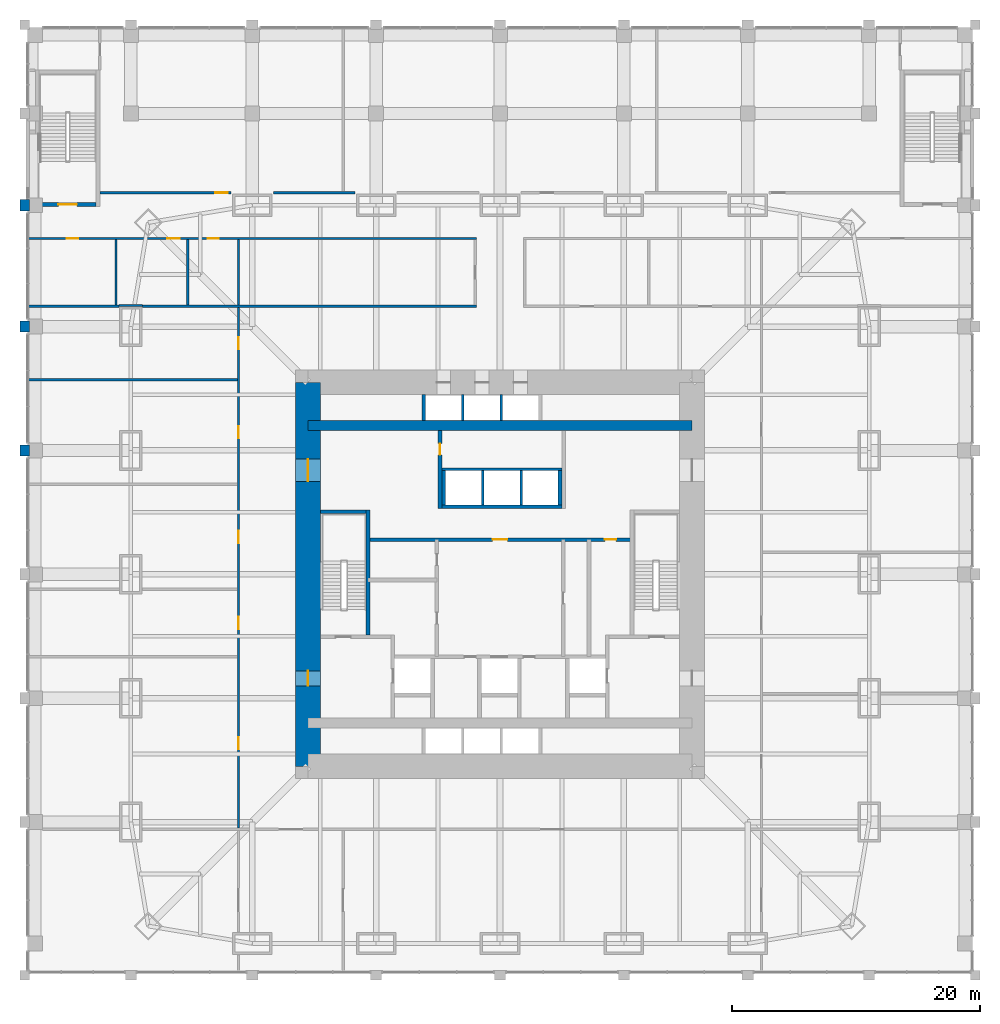
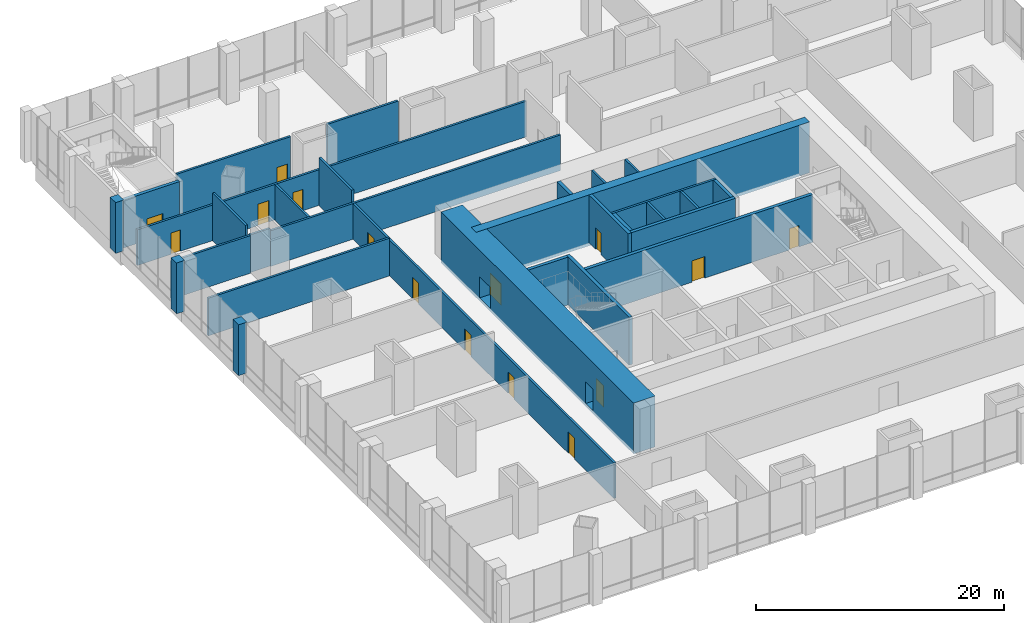
# One storey, part 18 of 24: 30 walls, 15 doors, 15 openings.
"""IFC4 building model written with IfcOpenShell, lengths in metres."""

import ifcopenshell
import ifcopenshell.guid

model = None  # the IFC model being written
_history = None  # IfcOwnerHistory: only IFC2X3 demands one
_inside = {}  # id of a spatial element -> (the spatial element, [elements in it])
_under = {}  # id of a project, library or spatial element -> (it, [spatial elements below it])
_declared = {}  # id of a project -> (the project, [libraries it declares])
_typed = {}  # id of a type object -> (the type object, [elements of that type])
_made_of = {}  # id of a material, layer set ... -> (it, [elements and type objects made of it])


def new_model(schema):
    """Start an empty IFC model of exactly this schema.

    Asked for "IFC4X3", IfcOpenShell would pick the latest addendum, in which some entities
    have other attributes; the version numbers below select the first issue.
    IFC2X3 requires an IfcOwnerHistory on every rooted entity: one is made here for all.
    """
    global model, _history
    if schema == "IFC4X3":
        model = ifcopenshell.file(schema_version=(4, 3, 0, 0))
    else:
        model = ifcopenshell.file(schema=schema)
    _inside.clear()
    _under.clear()
    _declared.clear()
    _typed.clear()
    _made_of.clear()
    _history = None
    if model.schema == "IFC2X3":
        org = make("IfcOrganization", Name="unknown")
        user = make(
            "IfcPersonAndOrganization",
            ThePerson=make("IfcPerson", FamilyName="unknown"),
            TheOrganization=org,
        )
        app = make(
            "IfcApplication",
            ApplicationDeveloper=org,
            Version="unknown",
            ApplicationFullName="unknown",
            ApplicationIdentifier="unknown",
        )
        _history = make(
            "IfcOwnerHistory",
            OwningUser=user,
            OwningApplication=app,
            ChangeAction="ADDED",
            CreationDate=0,
        )
    return model


def make(cls, **values):
    """One entity of the class cls with the attributes given. An attribute that is None is left unset."""
    return model.create_entity(
        cls, **{name: value for name, value in values.items() if value is not None}
    )


def rooted(cls, **values):
    """An entity with a GlobalId (a new one), such as an element, a storey or a relation."""
    return make(cls, GlobalId=ifcopenshell.guid.new(), OwnerHistory=_history, **values)


def si_unit(unit_type, name, prefix=None):
    """IfcSIUnit, for example si_unit("LENGTHUNIT", "METRE", prefix="MILLI")."""
    return make("IfcSIUnit", UnitType=unit_type, Prefix=prefix, Name=name)


def assignment(units):
    """IfcUnitAssignment: the units of a project."""
    return None if units is None else make("IfcUnitAssignment", Units=units)


def point(xyz):
    """IfcCartesianPoint."""
    return None if xyz is None else make("IfcCartesianPoint", Coordinates=xyz)


def direction(xyz):
    """IfcDirection."""
    return None if xyz is None else make("IfcDirection", DirectionRatios=xyz)


def frame(location, z_axis=None, x_axis=None):
    """IfcAxis2Placement3D, a coordinate frame: its origin and axes. An axis left out is left unset."""
    return make(
        "IfcAxis2Placement3D",
        Location=point(location),
        Axis=direction(z_axis),
        RefDirection=direction(x_axis),
    )


def frame_2d(location, x_axis=None):
    """IfcAxis2Placement2D, a coordinate frame in the plane: its origin and x axis."""
    return make(
        "IfcAxis2Placement2D", Location=point(location), RefDirection=direction(x_axis)
    )


def origin():
    """The frame at (0, 0, 0) with its axes left unset."""
    return frame((0.0, 0.0, 0.0))


def place(relative_to, where):
    """IfcLocalPlacement: puts the frame where relative to a parent placement (None: the world)."""
    return make(
        "IfcLocalPlacement", PlacementRelTo=relative_to, RelativePlacement=where
    )


def context(
    kind, dimensions, precision=None, world=None, true_north=None, identifier=None
):
    """IfcGeometricRepresentationContext, for example the 3D "Model" context."""
    return make(
        "IfcGeometricRepresentationContext",
        ContextIdentifier=identifier,
        ContextType=kind,
        CoordinateSpaceDimension=dimensions,
        Precision=precision,
        WorldCoordinateSystem=world,
        TrueNorth=true_north,
    )


def subcontext(parent, identifier, kind, view, scale=None):
    """IfcGeometricRepresentationSubContext, for example "Body" below "Model"."""
    return make(
        "IfcGeometricRepresentationSubContext",
        ContextIdentifier=identifier,
        ContextType=kind,
        ParentContext=parent,
        TargetScale=scale,
        TargetView=view,
    )


def project(units=None, contexts=None):
    """IfcProject with its units and contexts."""
    return rooted(
        "IfcProject",
        Name="project",
        RepresentationContexts=contexts,
        UnitsInContext=assignment(units),
    )


def spatial(cls, under=None, at=None, **own):
    """A site, building, storey or space (cls), placed at a placement, below another one or the project."""
    s = rooted(cls, ObjectPlacement=at, **own)
    if under is not None:
        _under.setdefault(under.id(), (under, []))[1].append(s)
    return s


def profile(cls, at=None, kind="AREA", **sizes):
    """A parametric profile (cls). Its sizes go by their IFC names, for example OverallWidth=200.0."""
    return make(cls, ProfileType=kind, Position=at, **sizes)


def rectangle(**sizes):
    """IfcRectangleProfileDef."""
    return profile("IfcRectangleProfileDef", **sizes)


def extrude(swept, where, along, depth):
    """IfcExtrudedAreaSolid: the profile swept, set in the frame where, extruded along a direction by depth."""
    return make(
        "IfcExtrudedAreaSolid",
        SweptArea=swept,
        Position=where,
        ExtrudedDirection=direction(along),
        Depth=depth,
    )


def shape(context_of_items, identifier, shape_type, items):
    """IfcShapeRepresentation: the items that make up one representation, for example the "Body"."""
    return make(
        "IfcShapeRepresentation",
        ContextOfItems=context_of_items,
        RepresentationIdentifier=identifier,
        RepresentationType=shape_type,
        Items=items,
    )


def material(Name=None, Category=None):
    """IfcMaterial."""
    return make("IfcMaterial", Name=Name, Category=Category)


def layer(
    of_material, thickness, ventilated=None, Name=None, Category=None, Priority=None
):
    """IfcMaterialLayer: one layer of a wall or slab, of a material (None: an air gap)."""
    return make(
        "IfcMaterialLayer",
        Material=of_material,
        LayerThickness=thickness,
        IsVentilated=ventilated,
        Name=Name,
        Category=Category,
        Priority=Priority,
    )


def layer_set(layers, Name=None):
    """IfcMaterialLayerSet."""
    return make("IfcMaterialLayerSet", MaterialLayers=layers, LayerSetName=Name)


def made_of(thing, what):
    """Note that an element or type object is made of a material, layer set ...; save() writes the relation."""
    if what is not None:
        _made_of.setdefault(what.id(), (what, []))[1].append(thing)
    return thing


def type_object(cls, material=None, **own):
    """A type object (cls), such as IfcWallType, which elements share."""
    return made_of(rooted(cls, **own), material)


def element(
    cls,
    number,
    at=None,
    inside=None,
    cuts=None,
    type_object=None,
    material=None,
    context=None,
    identifier="Body",
    shape_type=None,
    held_by="IfcProductDefinitionShape",
    body=None,
    shapes=None,
    **own,
):
    """One element of the class cls, such as IfcWall. Its Tag is "e" and its number.

    at: its placement. inside: the storey or other place that contains it. cuts: it is an
    opening in that element (IfcRelVoidsElement). A single representation is given by context,
    identifier, shape_type and body (its items); several are given by shapes. held_by: the class
    of the entity that holds the representations. save() writes the other relations.
    """
    e = rooted(cls, Tag="e%d" % number, ObjectPlacement=at, **own)
    if body is not None:
        shapes = [shape(context, identifier, shape_type, body)]
    if shapes is not None:
        e.Representation = make(held_by, Representations=shapes)
    if inside is not None:
        _inside.setdefault(inside.id(), (inside, []))[1].append(e)
    if cuts is not None:
        rooted(
            "IfcRelVoidsElement", RelatingBuildingElement=cuts, RelatedOpeningElement=e
        )
    if type_object is not None:
        _typed.setdefault(type_object.id(), (type_object, []))[1].append(e)
    return made_of(e, material)


def fill(opening, filler):
    """IfcRelFillsElement: the door or window that sits in an opening."""
    return rooted(
        "IfcRelFillsElement",
        RelatingOpeningElement=opening,
        RelatedBuildingElement=filler,
    )


def aggregate(whole, parts):
    """IfcRelAggregates: a whole, such as a stair, and the parts it consists of."""
    return rooted("IfcRelAggregates", RelatingObject=whole, RelatedObjects=parts)


def save(model, path):
    """Write the relations noted so far, then the file.

    IfcRelAggregates (storeys below a building ...), IfcRelContainedInSpatialStructure (elements
    in a storey), IfcRelDefinesByType, IfcRelAssociatesMaterial and IfcRelDeclares: one each for
    every whole, place, type object, material and project.
    """
    for whole, parts in _under.values():
        aggregate(whole, parts)
    for where, things in _inside.values():
        rooted(
            "IfcRelContainedInSpatialStructure",
            RelatedElements=things,
            RelatingStructure=where,
        )
    for kind, things in _typed.values():
        rooted("IfcRelDefinesByType", RelatedObjects=things, RelatingType=kind)
    for what, things in _made_of.values():
        rooted("IfcRelAssociatesMaterial", RelatedObjects=things, RelatingMaterial=what)
    for by, libraries in _declared.values():
        rooted("IfcRelDeclares", RelatingContext=by, RelatedDefinitions=libraries)
    model.write(path)


model = new_model("IFC4")

# Units and contexts
model_context = context("Model", 3, precision=1e-05, world=origin(), true_north=direction((0.0, 1.0)))
body_context = subcontext(model_context, "Body", "Model", "MODEL_VIEW")
ifc_project = project(units=[si_unit("LENGTHUNIT", "METRE"), si_unit("AREAUNIT", "SQUARE_METRE"), si_unit("VOLUMEUNIT", "CUBIC_METRE"), si_unit("PLANEANGLEUNIT", "RADIAN"), si_unit("MASSUNIT", "GRAM", prefix="KILO")], contexts=[model_context])

# Site, building, storey
site_placement = place(None, origin())
site = spatial("IfcSite", under=ifc_project, at=site_placement, CompositionType="ELEMENT")
building_placement = place(site_placement, origin())
building = spatial("IfcBuilding", under=site, at=building_placement, Name="Khuree Lantern Residences", CompositionType="ELEMENT")
storey_placement = place(building_placement, frame((0.0, 0.0, 11.0)))
storey = spatial("IfcBuildingStorey", under=building, at=storey_placement, Name="L02", CompositionType="ELEMENT", Elevation=11.0)

# Walls
ifc_material_1 = material(Name="Dense concrete blockwork", Category="masonry")
ifc_layer_1 = layer(ifc_material_1, 0.300048828125)
ifc_layer_set_1 = layer_set([ifc_layer_1], Name="CORE PARTITION WALL CPW300 EI 120")
wall_type_1 = type_object("IfcWallType", Name="CORE PARTITION WALL CPW300 EI 120", PredefinedType="PARTITIONING", material=ifc_layer_set_1)
wall_1_placement = place(storey_placement, frame((-4.699951171875, 5.449951171875, 0.0), z_axis=(0.0, 0.0, 1.0), x_axis=(1.0, 0.0, 0.0)))
element("IfcWall", 1, at=wall_1_placement, inside=storey, type_object=wall_type_1, Name="L02 CORE WALL PHS", PredefinedType="PARTITIONING", context=body_context, shape_type="SweptSolid", body=[
    extrude(rectangle(XDim=9.699951171875, YDim=0.300048828125, at=frame_2d((4.85009765625, 0.0))), origin(), (0.0, 0.0, 1.0), 4.699951171875),
])
for number, where, z_axis, x_axis, name in (
    (2, (-4.550048828125, 5.60009765625, 0.0), (0.0, 0.0, 1.0), (0.0, 1.0, 0.0), "L02 CORE WALL PHW"),
    (3, (4.85009765625, 5.60009765625, 0.0), (0.0, 0.0, 1.0), (0.0, 1.0, 0.0), "L02 CORE WALL PHE"),
):
    element("IfcWall", number, at=place(storey_placement, frame(where, z_axis=z_axis, x_axis=x_axis)), inside=storey, type_object=wall_type_1, Name=name, PredefinedType="PARTITIONING", context=body_context, shape_type="SweptSolid", body=[
        extrude(rectangle(XDim=2.7998046875, YDim=0.300048828125, at=frame_2d((1.39990234375, 0.0))), origin(), (0.0, 0.0, 1.0), 4.699951171875),
    ])
wall_2_placement = place(storey_placement, frame((-6.14990234375, 12.39990234375, 0.0), z_axis=(0.0, 0.0, 1.0), x_axis=(0.0, 1.0, 0.0)))
element("IfcWall", 4, at=wall_2_placement, inside=storey, type_object=wall_type_1, Name="L02 CORE WALL PLW", PredefinedType="PARTITIONING", context=body_context, shape_type="SweptSolid", body=[
    extrude(rectangle(XDim=2.10009765625, YDim=0.300048828125, at=frame_2d((1.050048828125, 0.0))), origin(), (0.0, 0.0, 1.0), 4.699951171875),
])

# Wall, openings, doors
wall_3_placement = place(storey_placement, frame((-10.64990234375, 2.800048828125, 0.0), z_axis=(0.0, 0.0, 1.0), x_axis=(1.0, 0.0, 0.0)))
wall_3 = element("IfcWall", 5, at=wall_3_placement, inside=storey, type_object=wall_type_1, Name="L02 CORE WALL LLS", PredefinedType="PARTITIONING", context=body_context, shape_type="SweptSolid", body=[
    extrude(rectangle(XDim=21.2998046875, YDim=0.300048828125, at=frame_2d((10.64990234375, 0.0))), origin(), (0.0, 0.0, 1.0), 4.699951171875),
])
opening_1_placement = place(wall_3_placement, frame((10.050048828125, 0.0, 0.0)))
opening_1 = element("IfcOpeningElement", 6, at=opening_1_placement, cuts=wall_3, Name="Opening 02-013", PredefinedType="OPENING", context=body_context, shape_type="SweptSolid", body=[
    extrude(rectangle(XDim=1.199951171875, YDim=2.10009765625, at=frame_2d((0.60009765625, 1.050048828125))), frame((0.0, 0.16015625, 0.0), z_axis=(0.0, -1.0, 0.0), x_axis=(1.0, 0.0, 0.0)), (0.0, 0.0, 1.0), 0.320068359375),
])
opening_2_placement = place(wall_3_placement, frame((19.12109375, 0.0, 0.0)))
opening_2 = element("IfcOpeningElement", 7, at=opening_2_placement, cuts=wall_3, Name="Opening 02-019", PredefinedType="OPENING", context=body_context, shape_type="SweptSolid", body=[
    extrude(rectangle(XDim=0.89990234375, YDim=2.10009765625, at=frame_2d((0.449951171875, 1.050048828125))), frame((0.0, 0.16015625, 0.0), z_axis=(0.0, -1.0, 0.0), x_axis=(1.0, 0.0, 0.0)), (0.0, 0.0, 1.0), 0.320068359375),
])
ifc_material_2 = material(Name="Steel door leaf in steel frame", Category="steel")
door_type_1 = type_object("IfcDoorType", Name="DOOR 1200X2100 EI 60", OperationType="SINGLE_SWING_LEFT", PredefinedType="DOOR", material=ifc_material_2)
door_1_placement = place(opening_1_placement, origin())
door_1 = element("IfcDoor", 8, at=door_1_placement, inside=storey, type_object=door_type_1, Name="Service lift lobby door 02-013", OperationType="SINGLE_SWING_LEFT", OverallHeight=2.10009765625, OverallWidth=1.199951171875, PredefinedType="DOOR", context=body_context, shape_type="SweptSolid", body=[
    extrude(rectangle(XDim=1.199951171875, YDim=2.10009765625, at=frame_2d((0.60009765625, 1.050048828125))), frame((0.0, 0.02490234375, 0.0), z_axis=(0.0, -1.0, 0.0), x_axis=(1.0, 0.0, 0.0)), (0.0, 0.0, 1.0), 0.050048828125),
])
fill(opening_1, door_1)
ifc_material_3 = material(Name="Timber door leaf in hardwood frame", Category="wood")
door_type_2 = type_object("IfcDoorType", Name="DOOR 900X2100 RIGHT HAND", OperationType="SINGLE_SWING_RIGHT", PredefinedType="DOOR", material=ifc_material_3)
door_2_placement = place(opening_2_placement, origin())
door_2 = element("IfcDoor", 9, at=door_2_placement, inside=storey, type_object=door_type_2, Name="Store door 02-019", OperationType="SINGLE_SWING_RIGHT", OverallHeight=2.10009765625, OverallWidth=0.89990234375, PredefinedType="DOOR", context=body_context, shape_type="SweptSolid", body=[
    extrude(rectangle(XDim=0.89990234375, YDim=2.10009765625, at=frame_2d((0.449951171875, 1.050048828125))), frame((0.0, 0.02490234375, 0.0), z_axis=(0.0, -1.0, 0.0), x_axis=(1.0, 0.0, 0.0)), (0.0, 0.0, 1.0), 0.050048828125),
])
fill(opening_2, door_2)

# Wall, opening, door
wall_4_placement = place(storey_placement, frame((-4.85009765625, 5.300048828125, 0.0), z_axis=(0.0, 0.0, 1.0), x_axis=(0.0, 1.0, 0.0)))
wall_4 = element("IfcWall", 10, at=wall_4_placement, inside=storey, type_object=wall_type_1, Name="L02 CORE WALL NW", PredefinedType="PARTITIONING", context=body_context, shape_type="SweptSolid", body=[
    extrude(rectangle(XDim=6.300048828125, YDim=0.300048828125, at=frame_2d((3.14990234375, 0.0))), origin(), (0.0, 0.0, 1.0), 4.699951171875),
])
opening_3_placement = place(wall_4_placement, frame((4.35009765625, 0.0, 0.0)))
opening_3 = element("IfcOpeningElement", 11, at=opening_3_placement, cuts=wall_4, Name="Opening 02-020", PredefinedType="OPENING", context=body_context, shape_type="SweptSolid", body=[
    extrude(rectangle(XDim=0.89990234375, YDim=2.10009765625, at=frame_2d((0.449951171875, 1.050048828125))), frame((0.0, 0.16015625, 0.0), z_axis=(0.0, -1.0, 0.0), x_axis=(1.0, 0.0, 0.0)), (0.0, 0.0, 1.0), 0.320068359375),
])
door_3_placement = place(opening_3_placement, origin())
door_3 = element("IfcDoor", 12, at=door_3_placement, inside=storey, type_object=door_type_2, Name="Store door 02-020", OperationType="SINGLE_SWING_RIGHT", OverallHeight=2.10009765625, OverallWidth=0.89990234375, PredefinedType="DOOR", context=body_context, shape_type="SweptSolid", body=[
    extrude(rectangle(XDim=0.89990234375, YDim=2.10009765625, at=frame_2d((0.449951171875, 1.050048828125))), frame((0.0, 0.02490234375, 0.0), z_axis=(0.0, -1.0, 0.0), x_axis=(1.0, 0.0, 0.0)), (0.0, 0.0, 1.0), 0.050048828125),
])
fill(opening_3, door_3)

# Wall, openings, doors
ifc_material_4 = material(Name="Concrete C70/85", Category="concrete")
ifc_layer_2 = layer(ifc_material_4, 2.0)
ifc_layer_set_2 = layer_set([ifc_layer_2], Name="CW2000-C70 CORE WALL C70 2000")
wall_type_2 = type_object("IfcWallType", Name="CW2000-C70 CORE WALL C70 2000", PredefinedType="SHEAR", material=ifc_layer_set_2)
wall_5_placement = place(storey_placement, frame((-15.5, -15.5, -0.300048828125), z_axis=(0.0, 0.0, 1.0), x_axis=(0.0, 1.0, 0.0)))
wall_5 = element("IfcWall", 13, at=wall_5_placement, inside=storey, type_object=wall_type_2, Name="Core wall W", PredefinedType="SHEAR", context=body_context, shape_type="SweptSolid", body=[
    extrude(rectangle(XDim=31.0, YDim=2.0, at=frame_2d((15.5, 0.0))), origin(), (0.0, 0.0, 1.0), 5.0),
])
opening_4_placement = place(wall_5_placement, frame((6.5, 0.0, 0.300048828125)))
opening_4 = element("IfcOpeningElement", 14, at=opening_4_placement, cuts=wall_5, Name="Opening 02-002", PredefinedType="OPENING", context=body_context, shape_type="SweptSolid", body=[
    extrude(rectangle(XDim=1.199951171875, YDim=2.10009765625, at=frame_2d((0.60009765625, 1.050048828125))), frame((0.0, 1.010009765625, 0.0), z_axis=(0.0, -1.0, 0.0), x_axis=(1.0, 0.0, 0.0)), (0.0, 0.0, 1.0), 2.02001953125),
])
opening_5_placement = place(wall_5_placement, frame((23.0, 0.0, 0.300048828125)))
opening_5 = element("IfcOpeningElement", 15, at=opening_5_placement, cuts=wall_5, Name="Opening 02-003", PredefinedType="OPENING", context=body_context, shape_type="SweptSolid", body=[
    extrude(rectangle(XDim=1.800048828125, YDim=2.10009765625, at=frame_2d((0.89990234375, 1.050048828125))), frame((0.0, 1.010009765625, 0.0), z_axis=(0.0, -1.0, 0.0), x_axis=(1.0, 0.0, 0.0)), (0.0, 0.0, 1.0), 2.02001953125),
])
door_type_3 = type_object("IfcDoorType", Name="LOBBY DOOR 1200X2100 EI 120", OperationType="SINGLE_SWING_LEFT", PredefinedType="DOOR", material=ifc_material_2)
door_4_placement = place(opening_4_placement, origin())
door_4 = element("IfcDoor", 16, at=door_4_placement, inside=storey, type_object=door_type_3, Name="Firefighting lobby door 02-002", OperationType="SINGLE_SWING_LEFT", OverallHeight=2.10009765625, OverallWidth=1.199951171875, PredefinedType="DOOR", context=body_context, shape_type="SweptSolid", body=[
    extrude(rectangle(XDim=1.199951171875, YDim=2.10009765625, at=frame_2d((0.60009765625, 1.050048828125))), frame((0.0, 0.02490234375, 0.0), z_axis=(0.0, -1.0, 0.0), x_axis=(1.0, 0.0, 0.0)), (0.0, 0.0, 1.0), 0.050048828125),
])
fill(opening_4, door_4)
door_type_4 = type_object("IfcDoorType", Name="LOBBY DOUBLE DOOR 1800X2100 EI 60", OperationType="DOUBLE_DOOR_SINGLE_SWING", PredefinedType="DOOR", material=ifc_material_2)
door_5_placement = place(opening_5_placement, origin())
door_5 = element("IfcDoor", 17, at=door_5_placement, inside=storey, type_object=door_type_4, Name="Lift lobby door 02-003", OperationType="DOUBLE_DOOR_SINGLE_SWING", OverallHeight=2.10009765625, OverallWidth=1.800048828125, PredefinedType="DOOR", context=body_context, shape_type="SweptSolid", body=[
    extrude(rectangle(XDim=1.800048828125, YDim=2.10009765625, at=frame_2d((0.89990234375, 1.050048828125))), frame((0.0, 0.02490234375, 0.0), z_axis=(0.0, -1.0, 0.0), x_axis=(1.0, 0.0, 0.0)), (0.0, 0.0, 1.0), 0.050048828125),
])
fill(opening_5, door_5)

# Walls
ifc_material_5 = material(Name="Flamed granite cladding on blockwork", Category="masonry")
ifc_layer_3 = layer(ifc_material_5, 0.75)
ifc_layer_set_3 = layer_set([ifc_layer_3], Name="PODIUM PIER PR1 900X750")
wall_type_3 = type_object("IfcWallType", Name="PODIUM PIER PR1 900X750", PredefinedType="SOLIDWALL", material=ifc_layer_set_3)
for number, where, z_axis, x_axis, name in (
    (18, (-38.375, 30.25, 0.0), (0.0, 0.0, 1.0), (0.0, -1.0, 0.0), "L02 WEST FACE PIER 2"),
    (19, (-38.375, 20.449951171875, 0.0), (0.0, 0.0, 1.0), (0.0, -1.0, 0.0), "L02 WEST FACE PIER 3"),
    (20, (-38.375, 10.449951171875, 0.0), (0.0, 0.0, 1.0), (0.0, -1.0, 0.0), "L02 WEST FACE PIER 4"),
):
    element("IfcWall", number, at=place(storey_placement, frame(where, z_axis=z_axis, x_axis=x_axis)), inside=storey, type_object=wall_type_3, Name=name, PredefinedType="SOLIDWALL", context=body_context, shape_type="SweptSolid", body=[
        extrude(rectangle(XDim=0.89990234375, YDim=0.75, at=frame_2d((0.449951171875, 0.0))), origin(), (0.0, 0.0, 1.0), 5.0),
    ])

# Wall, openings, doors
ifc_layer_4 = layer(ifc_material_1, 0.199951171875)
ifc_layer_set_4 = layer_set([ifc_layer_4], Name="ROOM WALL RMW200")
wall_type_4 = type_object("IfcWallType", Name="ROOM WALL RMW200", PredefinedType="SOLIDWALL", material=ifc_layer_set_4)
wall_6_placement = place(storey_placement, frame((-21.111083984375, -20.490966796875, 0.0), z_axis=(0.0, 0.0, 1.0), x_axis=(0.0, 1.0, 0.0)))
wall_6 = element("IfcWall", 21, at=wall_6_placement, inside=storey, type_object=wall_type_4, Name="L02 ROOM WALL 9", PredefinedType="SOLIDWALL", context=body_context, shape_type="SweptSolid", body=[
    extrude(rectangle(XDim=42.02197265625, YDim=0.199951171875, at=frame_2d((21.010986328125, 0.0))), origin(), (0.0, 0.0, 1.0), 3.5),
])
opening_6_placement = place(wall_6_placement, frame((6.35205078125, 0.0, 0.0)))
opening_6 = element("IfcOpeningElement", 22, at=opening_6_placement, cuts=wall_6, Name="Opening 02-028", PredefinedType="OPENING", context=body_context, shape_type="SweptSolid", body=[
    extrude(rectangle(XDim=1.0, YDim=2.10009765625, at=frame_2d((0.5, 1.050048828125))), frame((0.0, 0.10986328125, 0.0), z_axis=(0.0, -1.0, 0.0), x_axis=(1.0, 0.0, 0.0)), (0.0, 0.0, 1.0), 0.219970703125),
])
opening_7_placement = place(wall_6_placement, frame((16.053955078125, 0.0, 0.0)))
opening_7 = element("IfcOpeningElement", 23, at=opening_7_placement, cuts=wall_6, Name="Opening 02-029", PredefinedType="OPENING", context=body_context, shape_type="SweptSolid", body=[
    extrude(rectangle(XDim=1.0, YDim=2.10009765625, at=frame_2d((0.5, 1.050048828125))), frame((0.0, 0.10986328125, 0.0), z_axis=(0.0, -1.0, 0.0), x_axis=(1.0, 0.0, 0.0)), (0.0, 0.0, 1.0), 0.219970703125),
])
opening_8_placement = place(wall_6_placement, frame((23.01611328125, 0.0, 0.0)))
opening_8 = element("IfcOpeningElement", 24, at=opening_8_placement, cuts=wall_6, Name="Opening 02-030", PredefinedType="OPENING", context=body_context, shape_type="SweptSolid", body=[
    extrude(rectangle(XDim=1.0, YDim=2.10009765625, at=frame_2d((0.5, 1.050048828125))), frame((0.0, 0.10986328125, 0.0), z_axis=(0.0, -1.0, 0.0), x_axis=(1.0, 0.0, 0.0)), (0.0, 0.0, 1.0), 0.219970703125),
])
opening_9_placement = place(wall_6_placement, frame((31.46044921875, 0.0, 0.0)))
opening_9 = element("IfcOpeningElement", 25, at=opening_9_placement, cuts=wall_6, Name="Opening 02-031", PredefinedType="OPENING", context=body_context, shape_type="SweptSolid", body=[
    extrude(rectangle(XDim=1.0, YDim=2.10009765625, at=frame_2d((0.5, 1.050048828125))), frame((0.0, 0.10986328125, 0.0), z_axis=(0.0, -1.0, 0.0), x_axis=(1.0, 0.0, 0.0)), (0.0, 0.0, 1.0), 0.219970703125),
])
opening_10_placement = place(wall_6_placement, frame((38.6474609375, 0.0, 0.0)))
opening_10 = element("IfcOpeningElement", 26, at=opening_10_placement, cuts=wall_6, Name="Opening 02-032", PredefinedType="OPENING", context=body_context, shape_type="SweptSolid", body=[
    extrude(rectangle(XDim=1.0, YDim=2.10009765625, at=frame_2d((0.5, 1.050048828125))), frame((0.0, 0.10986328125, 0.0), z_axis=(0.0, -1.0, 0.0), x_axis=(1.0, 0.0, 0.0)), (0.0, 0.0, 1.0), 0.219970703125),
])
door_type_5 = type_object("IfcDoorType", Name="DOOR 1000X2100", OperationType="SINGLE_SWING_LEFT", PredefinedType="DOOR", material=ifc_material_3)
door_6_placement = place(opening_6_placement, origin())
door_6 = element("IfcDoor", 27, at=door_6_placement, inside=storey, type_object=door_type_5, Name="Furniture store door 02-028", OperationType="SINGLE_SWING_LEFT", OverallHeight=2.10009765625, OverallWidth=1.0, PredefinedType="DOOR", context=body_context, shape_type="SweptSolid", body=[
    extrude(rectangle(XDim=1.0, YDim=2.10009765625, at=frame_2d((0.5, 1.050048828125))), frame((0.0, 0.02490234375, 0.0), z_axis=(0.0, -1.0, 0.0), x_axis=(1.0, 0.0, 0.0)), (0.0, 0.0, 1.0), 0.050048828125),
])
fill(opening_6, door_6)
door_7_placement = place(opening_7_placement, origin())
door_7 = element("IfcDoor", 28, at=door_7_placement, inside=storey, type_object=door_type_5, Name="Cloakroom door 02-029", OperationType="SINGLE_SWING_LEFT", OverallHeight=2.10009765625, OverallWidth=1.0, PredefinedType="DOOR", context=body_context, shape_type="SweptSolid", body=[
    extrude(rectangle(XDim=1.0, YDim=2.10009765625, at=frame_2d((0.5, 1.050048828125))), frame((0.0, 0.02490234375, 0.0), z_axis=(0.0, -1.0, 0.0), x_axis=(1.0, 0.0, 0.0)), (0.0, 0.0, 1.0), 0.050048828125),
])
fill(opening_7, door_7)
door_8_placement = place(opening_8_placement, origin())
door_8 = element("IfcDoor", 29, at=door_8_placement, inside=storey, type_object=door_type_5, Name="Bridal room door 02-030", OperationType="SINGLE_SWING_LEFT", OverallHeight=2.10009765625, OverallWidth=1.0, PredefinedType="DOOR", context=body_context, shape_type="SweptSolid", body=[
    extrude(rectangle(XDim=1.0, YDim=2.10009765625, at=frame_2d((0.5, 1.050048828125))), frame((0.0, 0.02490234375, 0.0), z_axis=(0.0, -1.0, 0.0), x_axis=(1.0, 0.0, 0.0)), (0.0, 0.0, 1.0), 0.050048828125),
])
fill(opening_8, door_8)
door_9_placement = place(opening_9_placement, origin())
door_9 = element("IfcDoor", 30, at=door_9_placement, inside=storey, type_object=door_type_5, Name="Green room door 02-031", OperationType="SINGLE_SWING_LEFT", OverallHeight=2.10009765625, OverallWidth=1.0, PredefinedType="DOOR", context=body_context, shape_type="SweptSolid", body=[
    extrude(rectangle(XDim=1.0, YDim=2.10009765625, at=frame_2d((0.5, 1.050048828125))), frame((0.0, 0.02490234375, 0.0), z_axis=(0.0, -1.0, 0.0), x_axis=(1.0, 0.0, 0.0)), (0.0, 0.0, 1.0), 0.050048828125),
])
fill(opening_9, door_9)
door_10_placement = place(opening_10_placement, origin())
door_10 = element("IfcDoor", 31, at=door_10_placement, inside=storey, type_object=door_type_5, Name="Events office door 02-032", OperationType="SINGLE_SWING_LEFT", OverallHeight=2.10009765625, OverallWidth=1.0, PredefinedType="DOOR", context=body_context, shape_type="SweptSolid", body=[
    extrude(rectangle(XDim=1.0, YDim=2.10009765625, at=frame_2d((0.5, 1.050048828125))), frame((0.0, 0.02490234375, 0.0), z_axis=(0.0, -1.0, 0.0), x_axis=(1.0, 0.0, 0.0)), (0.0, 0.0, 1.0), 0.050048828125),
])
fill(opening_10, door_10)

# Walls
wall_7_placement = place(storey_placement, frame((-38.074951171875, 15.701904296875, 0.0), z_axis=(0.0, 0.0, 1.0), x_axis=(1.0, 0.0, 0.0)))
element("IfcWall", 32, at=wall_7_placement, inside=storey, type_object=wall_type_4, Name="L02 ROOM WALL 18", PredefinedType="SOLIDWALL", context=body_context, shape_type="SweptSolid", body=[
    extrude(rectangle(XDim=16.864013671875, YDim=0.199951171875, at=frame_2d((8.43212890625, 0.0))), origin(), (0.0, 0.0, 1.0), 3.699951171875),
])
wall_8_placement = place(storey_placement, frame((-38.074951171875, 21.631103515625, 0.0), z_axis=(0.0, 0.0, 1.0), x_axis=(1.0, 0.0, 0.0)))
element("IfcWall", 33, at=wall_8_placement, inside=storey, type_object=wall_type_4, Name="L02 ROOM WALL 19", PredefinedType="SOLIDWALL", context=body_context, shape_type="SweptSolid", body=[
    extrude(rectangle(XDim=7.324951171875, YDim=0.199951171875, at=frame_2d((3.66259765625, 0.0))), origin(), (0.0, 0.0, 1.0), 3.699951171875),
])
wall_9_placement = place(storey_placement, frame((-28.85009765625, 21.631103515625, 0.0), z_axis=(0.0, 0.0, 1.0), x_axis=(1.0, 0.0, 0.0)))
element("IfcWall", 34, at=wall_9_placement, inside=storey, type_object=wall_type_4, Name="L02 ROOM WALL 20", PredefinedType="SOLIDWALL", context=body_context, shape_type="SweptSolid", body=[
    extrude(rectangle(XDim=26.9501953125, YDim=0.199951171875, at=frame_2d((13.47509765625, 0.0))), origin(), (0.0, 0.0, 1.0), 3.5),
])
wall_10_placement = place(storey_placement, frame((-30.75, 21.701904296875, 0.0), z_axis=(0.0, 0.0, 1.0), x_axis=(1.0, 0.0, 0.0)))
element("IfcWall", 35, at=wall_10_placement, inside=storey, type_object=wall_type_4, Name="L02 ROOM WALL 23", PredefinedType="SOLIDWALL", context=body_context, shape_type="SweptSolid", body=[
    extrude(rectangle(XDim=1.89990234375, YDim=0.199951171875, at=frame_2d((0.949951171875, 0.0))), origin(), (0.0, 0.0, 1.0), 3.699951171875),
])
wall_11_placement = place(storey_placement, frame((-31.0, 21.73095703125, 0.0), z_axis=(0.0, 0.0, 1.0), x_axis=(0.0, 1.0, 0.0)))
element("IfcWall", 36, at=wall_11_placement, inside=storey, type_object=wall_type_4, Name="L02 ROOM WALL 25", PredefinedType="SOLIDWALL", context=body_context, shape_type="SweptSolid", body=[
    extrude(rectangle(XDim=5.280029296875, YDim=0.199951171875, at=frame_2d((2.64013671875, 0.0))), origin(), (0.0, 0.0, 1.0), 4.699951171875),
])
wall_12_placement = place(storey_placement, frame((-25.199951171875, 21.73095703125, 0.0), z_axis=(0.0, 0.0, 1.0), x_axis=(0.0, 1.0, 0.0)))
element("IfcWall", 37, at=wall_12_placement, inside=storey, type_object=wall_type_4, Name="L02 ROOM WALL 26", PredefinedType="SOLIDWALL", context=body_context, shape_type="SweptSolid", body=[
    extrude(rectangle(XDim=5.280029296875, YDim=0.199951171875, at=frame_2d((2.64013671875, 0.0))), origin(), (0.0, 0.0, 1.0), 3.5),
])
wall_13_placement = place(storey_placement, frame((-21.111083984375, 21.73095703125, 0.0), z_axis=(0.0, 0.0, 1.0), x_axis=(0.0, 1.0, 0.0)))
element("IfcWall", 38, at=wall_13_placement, inside=storey, type_object=wall_type_4, Name="L02 ROOM WALL 27", PredefinedType="SOLIDWALL", context=body_context, shape_type="SweptSolid", body=[
    extrude(rectangle(XDim=5.280029296875, YDim=0.199951171875, at=frame_2d((2.64013671875, 0.0))), origin(), (0.0, 0.0, 1.0), 4.699951171875),
])

# Wall, openings, doors
wall_14_placement = place(storey_placement, frame((-38.074951171875, 27.111083984375, 0.0), z_axis=(0.0, 0.0, 1.0), x_axis=(1.0, 0.0, 0.0)))
wall_14 = element("IfcWall", 39, at=wall_14_placement, inside=storey, type_object=wall_type_4, Name="L02 ROOM WALL 32", PredefinedType="SOLIDWALL", context=body_context, shape_type="SweptSolid", body=[
    extrude(rectangle(XDim=36.175048828125, YDim=0.199951171875, at=frame_2d((18.08740234375, 0.0))), origin(), (0.0, 0.0, 1.0), 3.5),
])
opening_11_placement = place(wall_14_placement, frame((3.114990234375, 0.0, 0.0)))
opening_11 = element("IfcOpeningElement", 40, at=opening_11_placement, cuts=wall_14, Name="Opening 02-036", PredefinedType="OPENING", context=body_context, shape_type="SweptSolid", body=[
    extrude(rectangle(XDim=0.89990234375, YDim=2.10009765625, at=frame_2d((0.449951171875, 1.050048828125))), frame((0.0, 0.10986328125, 0.0), z_axis=(0.0, -1.0, 0.0), x_axis=(1.0, 0.0, 0.0)), (0.0, 0.0, 1.0), 0.219970703125),
])
opening_12_placement = place(wall_14_placement, frame((11.22705078125, 0.0, 0.0)))
opening_12 = element("IfcOpeningElement", 41, at=opening_12_placement, cuts=wall_14, Name="Opening 02-037", PredefinedType="OPENING", context=body_context, shape_type="SweptSolid", body=[
    extrude(rectangle(XDim=1.0, YDim=2.10009765625, at=frame_2d((0.5, 1.050048828125))), frame((0.0, 0.10986328125, 0.0), z_axis=(0.0, -1.0, 0.0), x_axis=(1.0, 0.0, 0.0)), (0.0, 0.0, 1.0), 0.219970703125),
])
opening_13_placement = place(wall_14_placement, frame((14.469482421875, 0.0, 0.0)))
opening_13 = element("IfcOpeningElement", 42, at=opening_13_placement, cuts=wall_14, Name="Opening 02-038", PredefinedType="OPENING", context=body_context, shape_type="SweptSolid", body=[
    extrude(rectangle(XDim=0.89990234375, YDim=2.10009765625, at=frame_2d((0.449951171875, 1.050048828125))), frame((0.0, 0.10986328125, 0.0), z_axis=(0.0, -1.0, 0.0), x_axis=(1.0, 0.0, 0.0)), (0.0, 0.0, 1.0), 0.219970703125),
])
door_type_6 = type_object("IfcDoorType", Name="ACCESSIBLE WC DOOR 1000X2100", OperationType="SINGLE_SWING_LEFT", PredefinedType="DOOR", material=ifc_material_3)
door_11_placement = place(opening_12_placement, origin())
door_11 = element("IfcDoor", 43, at=door_11_placement, inside=storey, type_object=door_type_6, Name="Accessible WC door 02-037", OperationType="SINGLE_SWING_LEFT", OverallHeight=2.10009765625, OverallWidth=1.0, PredefinedType="DOOR", context=body_context, shape_type="SweptSolid", body=[
    extrude(rectangle(XDim=1.0, YDim=2.10009765625, at=frame_2d((0.5, 1.050048828125))), frame((0.0, 0.02490234375, 0.0), z_axis=(0.0, -1.0, 0.0), x_axis=(1.0, 0.0, 0.0)), (0.0, 0.0, 1.0), 0.050048828125),
])
fill(opening_12, door_11)
door_type_7 = type_object("IfcDoorType", Name="WC DOOR 900X2100", OperationType="SINGLE_SWING_LEFT", PredefinedType="DOOR", material=ifc_material_3)
door_12_placement = place(opening_11_placement, origin())
door_12 = element("IfcDoor", 44, at=door_12_placement, inside=storey, type_object=door_type_7, Name="Male WC door 02-036", OperationType="SINGLE_SWING_LEFT", OverallHeight=2.10009765625, OverallWidth=0.89990234375, PredefinedType="DOOR", context=body_context, shape_type="SweptSolid", body=[
    extrude(rectangle(XDim=0.89990234375, YDim=2.10009765625, at=frame_2d((0.449951171875, 1.050048828125))), frame((0.0, 0.02490234375, 0.0), z_axis=(0.0, -1.0, 0.0), x_axis=(1.0, 0.0, 0.0)), (0.0, 0.0, 1.0), 0.050048828125),
])
fill(opening_11, door_12)
door_13_placement = place(opening_13_placement, origin())
door_13 = element("IfcDoor", 45, at=door_13_placement, inside=storey, type_object=door_type_7, Name="Female WC door 02-038", OperationType="SINGLE_SWING_LEFT", OverallHeight=2.10009765625, OverallWidth=0.89990234375, PredefinedType="DOOR", context=body_context, shape_type="SweptSolid", body=[
    extrude(rectangle(XDim=0.89990234375, YDim=2.10009765625, at=frame_2d((0.449951171875, 1.050048828125))), frame((0.0, 0.02490234375, 0.0), z_axis=(0.0, -1.0, 0.0), x_axis=(1.0, 0.0, 0.0)), (0.0, 0.0, 1.0), 0.050048828125),
])
fill(opening_13, door_13)

# Wall, opening, door
wall_15_placement = place(storey_placement, frame((-32.280029296875, 30.800048828125, 0.0), z_axis=(0.0, 0.0, 1.0), x_axis=(1.0, 0.0, 0.0)))
wall_15 = element("IfcWall", 46, at=wall_15_placement, inside=storey, type_object=wall_type_4, Name="L02 ROOM WALL 34", PredefinedType="SOLIDWALL", context=body_context, shape_type="SweptSolid", body=[
    extrude(rectangle(XDim=10.579833984375, YDim=0.199951171875, at=frame_2d((5.2900390625, 0.0))), origin(), (0.0, 0.0, 1.0), 4.699951171875),
])
opening_14_placement = place(wall_15_placement, frame((9.28662109375, 0.0, 0.0)))
opening_14 = element("IfcOpeningElement", 47, at=opening_14_placement, cuts=wall_15, Name="Opening 02-044", PredefinedType="OPENING", context=body_context, shape_type="SweptSolid", body=[
    extrude(rectangle(XDim=1.0, YDim=2.10009765625, at=frame_2d((0.5, 1.050048828125))), frame((0.0, 0.10986328125, 0.0), z_axis=(0.0, -1.0, 0.0), x_axis=(1.0, 0.0, 0.0)), (0.0, 0.0, 1.0), 0.219970703125),
])
door_14_placement = place(opening_14_placement, origin())
door_14 = element("IfcDoor", 48, at=door_14_placement, inside=storey, type_object=door_type_5, Name="Planning office door 02-044", OperationType="SINGLE_SWING_LEFT", OverallHeight=2.10009765625, OverallWidth=1.0, PredefinedType="DOOR", context=body_context, shape_type="SweptSolid", body=[
    extrude(rectangle(XDim=1.0, YDim=2.10009765625, at=frame_2d((0.5, 1.050048828125))), frame((0.0, 0.02490234375, 0.0), z_axis=(0.0, -1.0, 0.0), x_axis=(1.0, 0.0, 0.0)), (0.0, 0.0, 1.0), 0.050048828125),
])
fill(opening_14, door_14)

# Walls
wall_16_placement = place(storey_placement, frame((-18.2998046875, 30.800048828125, 0.0), z_axis=(0.0, 0.0, 1.0), x_axis=(1.0, 0.0, 0.0)))
element("IfcWall", 49, at=wall_16_placement, inside=storey, type_object=wall_type_4, Name="L02 ROOM WALL 35", PredefinedType="SOLIDWALL", context=body_context, shape_type="SweptSolid", body=[
    extrude(rectangle(XDim=6.599609375, YDim=0.199951171875, at=frame_2d((3.2998046875, 0.0))), origin(), (0.0, 0.0, 1.0), 4.699951171875),
])
ifc_layer_5 = layer(ifc_material_1, 0.199951171875)
ifc_layer_set_5 = layer_set([ifc_layer_5], Name="SHAFT WALL SHW200 EI 120")
wall_type_5 = type_object("IfcWallType", Name="SHAFT WALL SHW200 EI 120", PredefinedType="PARTITIONING", material=ifc_layer_set_5)
wall_17_placement = place(storey_placement, frame((-4.699951171875, 8.5, 0.0), z_axis=(0.0, 0.0, 1.0), x_axis=(1.0, 0.0, 0.0)))
element("IfcWall", 50, at=wall_17_placement, inside=storey, type_object=wall_type_5, Name="L02 CORE WALL PHN", PredefinedType="PARTITIONING", context=body_context, shape_type="SweptSolid", body=[
    extrude(rectangle(XDim=9.699951171875, YDim=0.199951171875, at=frame_2d((4.85009765625, 0.0))), origin(), (0.0, 0.0, 1.0), 4.699951171875),
])
for number, where, z_axis, x_axis, name in (
    (51, (-1.39990234375, 5.60009765625, 0.0), (0.0, 0.0, 1.0), (0.0, 1.0, 0.0), "L02 CORE WALL PHD1"),
    (52, (1.699951171875, 5.60009765625, 0.0), (0.0, 0.0, 1.0), (0.0, 1.0, 0.0), "L02 CORE WALL PHD2"),
):
    element("IfcWall", number, at=place(storey_placement, frame(where, z_axis=z_axis, x_axis=x_axis)), inside=storey, type_object=wall_type_5, Name=name, PredefinedType="PARTITIONING", context=body_context, shape_type="SweptSolid", body=[
        extrude(rectangle(XDim=2.7998046875, YDim=0.199951171875, at=frame_2d((1.39990234375, 0.0))), origin(), (0.0, 0.0, 1.0), 4.699951171875),
    ])
for number, where, z_axis, x_axis, name in (
    (53, (-3.0, 12.39990234375, 0.0), (0.0, 0.0, 1.0), (0.0, 1.0, 0.0), "L02 CORE WALL PLD1"),
    (54, (0.10009765625, 12.39990234375, 0.0), (0.0, 0.0, 1.0), (0.0, 1.0, 0.0), "L02 CORE WALL PLD2"),
):
    element("IfcWall", number, at=place(storey_placement, frame(where, z_axis=z_axis, x_axis=x_axis)), inside=storey, type_object=wall_type_5, Name=name, PredefinedType="PARTITIONING", context=body_context, shape_type="SweptSolid", body=[
        extrude(rectangle(XDim=2.10009765625, YDim=0.199951171875, at=frame_2d((1.050048828125, 0.0))), origin(), (0.0, 0.0, 1.0), 4.699951171875),
    ])
ifc_layer_6 = layer(ifc_material_4, 0.800048828125)
ifc_layer_set_6 = layer_set([ifc_layer_6], Name="SP800-C70 CORE SPINE WALL C70 800")
wall_type_6 = type_object("IfcWallType", Name="SP800-C70 CORE SPINE WALL C70 800", PredefinedType="SHEAR", material=ifc_layer_set_6)
wall_18_placement = place(storey_placement, frame((-15.5, 12.0, -0.300048828125), z_axis=(0.0, 0.0, 1.0), x_axis=(1.0, 0.0, 0.0)))
element("IfcWall", 55, at=wall_18_placement, inside=storey, type_object=wall_type_6, Name="Core wall SPN", PredefinedType="SHEAR", context=body_context, shape_type="SweptSolid", body=[
    extrude(rectangle(XDim=31.0, YDim=0.800048828125, at=frame_2d((15.5, 0.0))), origin(), (0.0, 0.0, 1.0), 5.0),
])
ifc_material_6 = material(Name="Concrete C50/60", Category="concrete")
ifc_layer_7 = layer(ifc_material_6, 0.300048828125)
ifc_layer_set_7 = layer_set([ifc_layer_7], Name="STAIR WALL SRW300 C50/60 REI 240")
wall_type_7 = type_object("IfcWallType", Name="STAIR WALL SRW300 C50/60 REI 240", PredefinedType="SOLIDWALL", material=ifc_layer_set_7)
wall_19_placement = place(storey_placement, frame((-10.64990234375, -4.89990234375, 0.0), z_axis=(0.0, 0.0, 1.0), x_axis=(0.0, 1.0, 0.0)))
element("IfcWall", 56, at=wall_19_placement, inside=storey, type_object=wall_type_7, Name="L02 STAIR WALL ST1E", PredefinedType="SOLIDWALL", context=body_context, shape_type="SweptSolid", body=[
    extrude(rectangle(XDim=10.099853515625, YDim=0.300048828125, at=frame_2d((5.0498046875, 0.0))), origin(), (0.0, 0.0, 1.0), 4.699951171875),
])
wall_20_placement = place(storey_placement, frame((-14.5, 5.050048828125, 0.0), z_axis=(0.0, 0.0, 1.0), x_axis=(1.0, 0.0, 0.0)))
element("IfcWall", 57, at=wall_20_placement, inside=storey, type_object=wall_type_7, Name="L02 STAIR WALL ST1N", PredefinedType="SOLIDWALL", context=body_context, shape_type="SweptSolid", body=[
    extrude(rectangle(XDim=3.699951171875, YDim=0.300048828125, at=frame_2d((1.85009765625, 0.0))), origin(), (0.0, 0.0, 1.0), 4.699951171875),
])

# Wall, opening, door
wall_21_placement = place(storey_placement, frame((-38.0, 29.85009765625, 0.0), z_axis=(0.0, 0.0, 1.0), x_axis=(1.0, 0.0, 0.0)))
wall_21 = element("IfcWall", 58, at=wall_21_placement, inside=storey, type_object=wall_type_7, Name="L02 STAIR ST3 WALL S", PredefinedType="SOLIDWALL", context=body_context, shape_type="SweptSolid", body=[
    extrude(rectangle(XDim=5.39990234375, YDim=0.300048828125, at=frame_2d((2.699951171875, 0.0))), origin(), (0.0, 0.0, 1.0), 4.699951171875),
])
opening_15_placement = place(wall_21_placement, frame((2.35009765625, 0.0, 0.0)))
opening_15 = element("IfcOpeningElement", 59, at=opening_15_placement, cuts=wall_21, Name="Opening 02-021", PredefinedType="OPENING", context=body_context, shape_type="SweptSolid", body=[
    extrude(rectangle(XDim=1.5, YDim=2.10009765625, at=frame_2d((0.75, 1.050048828125))), frame((0.0, 0.16015625, 0.0), z_axis=(0.0, -1.0, 0.0), x_axis=(1.0, 0.0, 0.0)), (0.0, 0.0, 1.0), 0.320068359375),
])
door_type_8 = type_object("IfcDoorType", Name="STAIR DOOR 1500X2100 EI 120", OperationType="DOUBLE_DOOR_SINGLE_SWING", PredefinedType="DOOR", material=ifc_material_2)
door_15_placement = place(opening_15_placement, origin())
door_15 = element("IfcDoor", 60, at=door_15_placement, inside=storey, type_object=door_type_8, Name="Stair ST3 door 02-021", OperationType="DOUBLE_DOOR_SINGLE_SWING", OverallHeight=2.10009765625, OverallWidth=1.5, PredefinedType="DOOR", context=body_context, shape_type="SweptSolid", body=[
    extrude(rectangle(XDim=1.5, YDim=2.10009765625, at=frame_2d((0.75, 1.050048828125))), frame((0.0, 0.02490234375, 0.0), z_axis=(0.0, -1.0, 0.0), x_axis=(1.0, 0.0, 0.0)), (0.0, 0.0, 1.0), 0.050048828125),
])
fill(opening_15, door_15)

save(model, "model.ifc")
